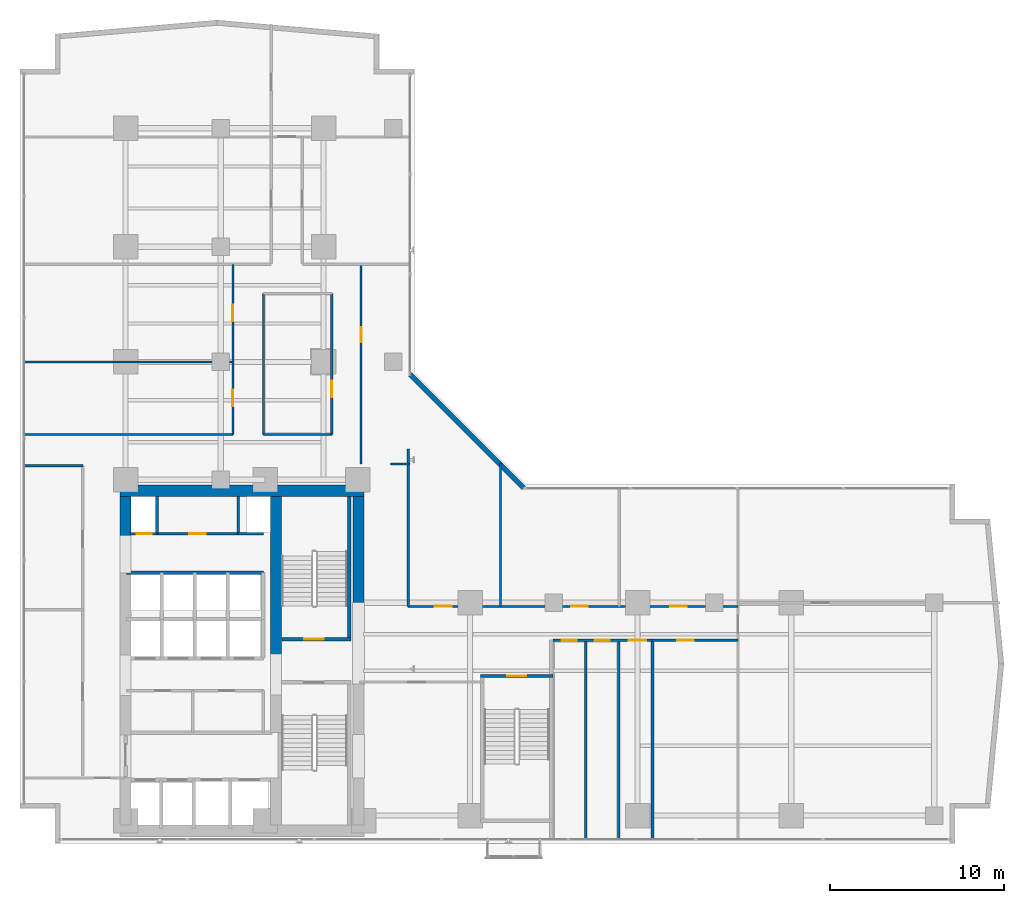
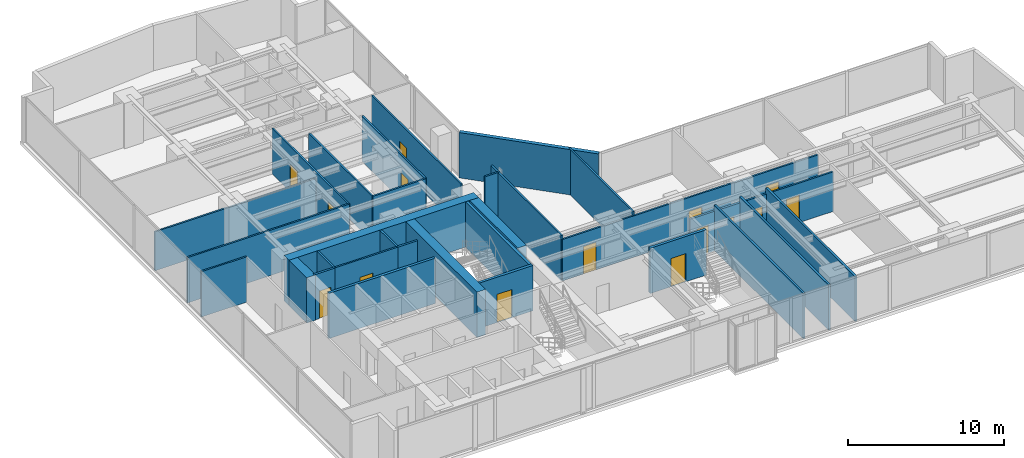
# One storey, part 20 of 26: 31 walls, 15 doors, 15 openings.
"""IFC4 building model written with IfcOpenShell, lengths in metres."""

from ifc_helpers import new_model, si_unit, direction, frame, frame_2d, origin, place, context, subcontext, project, spatial, rectangle, extrude, material, layer, layer_set, type_object, element, fill, save


model = new_model("IFC4")

# Units and contexts
model_context = context("Model", 3, precision=1e-05, world=origin(), true_north=direction((0.0, 1.0)))
body_context = subcontext(model_context, "Body", "Model", "MODEL_VIEW")
ifc_project = project(units=[si_unit("LENGTHUNIT", "METRE"), si_unit("AREAUNIT", "SQUARE_METRE"), si_unit("VOLUMEUNIT", "CUBIC_METRE"), si_unit("PLANEANGLEUNIT", "RADIAN"), si_unit("MASSUNIT", "GRAM", prefix="KILO")], contexts=[model_context])

# Site, building, storey
site_placement = place(None, origin())
site = spatial("IfcSite", under=ifc_project, at=site_placement, CompositionType="ELEMENT")
building_placement = place(site_placement, origin())
building = spatial("IfcBuilding", under=site, at=building_placement, Name="Kolvaren Waterfront Exchange", CompositionType="ELEMENT")
storey_placement = place(building_placement, frame((0.0, 0.0, 125.89990234375)))
storey = spatial("IfcBuildingStorey", under=building, at=storey_placement, Name="L32", CompositionType="ELEMENT", Elevation=125.89990234375)

# Wall
ifc_material_1 = material(Name="Precast concrete C40/50", Category="concrete")
ifc_layer_1 = layer(ifc_material_1, 0.280029296875, Name="Precast concrete C40/50")
ifc_layer_set_1 = layer_set([ifc_layer_1], Name="Precast concrete C40/50")
wall_type_1 = type_object("IfcWallType", Name="ARC-EXT-TERR-280", PredefinedType="SOLIDWALL", material=ifc_layer_set_1)
wall_1_placement = place(storey_placement, frame((30.284912109375, 23.97509765625, 0.0), z_axis=(0.0, 0.0, 1.0), x_axis=(-0.707106781187, 0.707106781187, 0.0)))
element("IfcWall", 1, at=wall_1_placement, inside=storey, type_object=wall_type_1, Name="L32 notched corner spandrel pier ELBOW", PredefinedType="SOLIDWALL", context=body_context, shape_type="SweptSolid", body=[
    extrude(rectangle(XDim=9.20654296875, YDim=0.280029296875, at=frame_2d((4.603271484375, 0.0))), origin(), (0.0, 0.0, 1.0), 3.5400390625),
])

# Wall, opening, door
ifc_layer_2 = layer(ifc_material_1, 0.199951171875, Name="Precast concrete C40/50")
ifc_layer_set_2 = layer_set([ifc_layer_2], Name="Precast concrete C40/50")
wall_type_2 = type_object("IfcWallType", Name="ARC-FIRE-200", PredefinedType="PARTITIONING", material=ifc_layer_set_2)
wall_2_placement = place(storey_placement, frame((16.409912109375, 15.300048828125, 0.0), z_axis=(0.0, 0.0, 1.0), x_axis=(1.0, 0.0, 0.0)))
wall_2 = element("IfcWall", 2, at=wall_2_placement, inside=storey, type_object=wall_type_2, Name="L32 interior wall PW-L32-ST2-THROAT-N", PredefinedType="PARTITIONING", context=body_context, shape_type="SweptSolid", body=[
    extrude(rectangle(XDim=3.9501953125, YDim=0.199951171875, at=frame_2d((1.97509765625, 0.0))), origin(), (0.0, 0.0, 1.0), 3.5400390625),
])
opening_1_placement = place(wall_2_placement, frame((1.293701171875, 0.0, 0.0)))
opening_1 = element("IfcOpeningElement", 3, at=opening_1_placement, cuts=wall_2, Name="Opening FD2", PredefinedType="OPENING", context=body_context, shape_type="SweptSolid", body=[
    extrude(rectangle(XDim=1.10009765625, YDim=2.199951171875, at=frame_2d((0.550048828125, 1.10009765625))), frame((0.0, 0.10986328125, 0.0), z_axis=(0.0, -1.0, 0.0), x_axis=(1.0, 0.0, 0.0)), (0.0, 0.0, 1.0), 0.219970703125),
])
ifc_material_2 = material(Name="Pressed steel smoke-seal fire door", Category="steel")
door_type_1 = type_object("IfcDoorType", Name="ARC-FD-1100", OperationType="NOTDEFINED", PredefinedType="DOOR", material=ifc_material_2)
door_1_placement = place(opening_1_placement, origin())
door_1 = element("IfcDoor", 4, at=door_1_placement, inside=storey, type_object=door_type_1, Name="L32 door DR-L32-ST2-IN (FD2)", OperationType="SINGLE_SWING_LEFT", OverallHeight=2.199951171875, OverallWidth=1.10009765625, PredefinedType="DOOR", context=body_context, shape_type="SweptSolid", body=[
    extrude(rectangle(XDim=1.10009765625, YDim=2.199951171875, at=frame_2d((0.550048828125, 1.10009765625))), frame((0.0, 0.02490234375, 0.0), z_axis=(0.0, -1.0, 0.0), x_axis=(1.0, 0.0, 0.0)), (0.0, 0.0, 1.0), 0.050048828125),
])
fill(opening_1, door_1)

ifc_material_3 = material(Name="Acoustic gypsum steel stud", Category="steel")
ifc_layer_3 = layer(ifc_material_3, 0.125, Name="Acoustic gypsum steel stud")
ifc_layer_set_3 = layer_set([ifc_layer_3], Name="Acoustic gypsum steel stud")
wall_type_3 = type_object("IfcWallType", Name="ARC-PART-125", PredefinedType="PARTITIONING", material=ifc_layer_set_3)
wall_3_placement = place(storey_placement, frame((9.25, 21.35009765625, 0.0), z_axis=(0.0, 0.0, 1.0), x_axis=(1.0, 0.0, 0.0)))
wall_3 = element("IfcWall", 5, at=wall_3_placement, inside=storey, type_object=wall_type_3, Name="L32 interior wall PW-L32-SVC-EX-S", PredefinedType="PARTITIONING", context=body_context, shape_type="SweptSolid", body=[
    extrude(rectangle(XDim=4.64990234375, YDim=0.125, at=frame_2d((2.324951171875, 0.0))), origin(), (0.0, 0.0, 1.0), 3.5400390625),
])
opening_2_placement = place(wall_3_placement, frame((1.85009765625, 0.0, 0.0)))
opening_2 = element("IfcOpeningElement", 6, at=opening_2_placement, cuts=wall_3, Name="Opening D02", PredefinedType="OPENING", context=body_context, shape_type="SweptSolid", body=[
    extrude(rectangle(XDim=0.949951171875, YDim=2.14990234375, at=frame_2d((0.47509765625, 1.074951171875))), frame((0.0, 0.072509765625, 0.0), z_axis=(0.0, -1.0, 0.0), x_axis=(1.0, 0.0, 0.0)), (0.0, 0.0, 1.0), 0.14501953125),
])
ifc_material_4 = material(Name="Oak veneer acoustic timber", Category="wood")
door_type_2 = type_object("IfcDoorType", Name="ARC-DR-950", OperationType="NOTDEFINED", PredefinedType="DOOR", material=ifc_material_4)
door_2_placement = place(opening_2_placement, origin())
door_2 = element("IfcDoor", 7, at=door_2_placement, inside=storey, type_object=door_type_2, Name="L32 door DR-L32-SVC-DR-1 (D02)", OperationType="SINGLE_SWING_LEFT", OverallHeight=2.14990234375, OverallWidth=0.949951171875, PredefinedType="DOOR", context=body_context, shape_type="SweptSolid", body=[
    extrude(rectangle(XDim=0.949951171875, YDim=2.14990234375, at=frame_2d((0.47509765625, 1.074951171875))), frame((0.0, 0.02490234375, 0.0), z_axis=(0.0, -1.0, 0.0), x_axis=(1.0, 0.0, 0.0)), (0.0, 0.0, 1.0), 0.050048828125),
])
fill(opening_2, door_2)

# Walls
wall_4_placement = place(storey_placement, frame((15.35009765625, 27.050048828125, 0.0), z_axis=(0.0, 0.0, 1.0), x_axis=(1.0, 0.0, 0.0)))
element("IfcWall", 8, at=wall_4_placement, inside=storey, type_object=wall_type_3, Name="L32 interior wall PW-L32-ISL-S", PredefinedType="PARTITIONING", context=body_context, shape_type="SweptSolid", body=[
    extrude(rectangle(XDim=3.919921875, YDim=0.125, at=frame_2d((1.9599609375, 0.0))), origin(), (0.0, 0.0, 1.0), 3.5400390625),
])
wall_5_placement = place(storey_placement, frame((15.35009765625, 27.050048828125, 0.0), z_axis=(0.0, 0.0, 1.0), x_axis=(0.0, 1.0, 0.0)))
element("IfcWall", 9, at=wall_5_placement, inside=storey, type_object=wall_type_3, Name="L32 interior wall PW-L32-ISL-W", PredefinedType="PARTITIONING", context=body_context, shape_type="SweptSolid", body=[
    extrude(rectangle(XDim=8.070068359375, YDim=0.125, at=frame_2d((4.03515625, 0.0))), origin(), (0.0, 0.0, 1.0), 3.5400390625),
])

# Wall, opening, door
wall_6_placement = place(storey_placement, frame((19.27001953125, 27.050048828125, 0.0), z_axis=(0.0, 0.0, 1.0), x_axis=(0.0, 1.0, 0.0)))
wall_6 = element("IfcWall", 10, at=wall_6_placement, inside=storey, type_object=wall_type_3, Name="L32 interior wall PW-L32-ISL-E", PredefinedType="PARTITIONING", context=body_context, shape_type="SweptSolid", body=[
    extrude(rectangle(XDim=8.070068359375, YDim=0.125, at=frame_2d((4.03515625, 0.0))), origin(), (0.0, 0.0, 1.0), 3.5400390625),
])
opening_3_placement = place(wall_6_placement, frame((2.126708984375, 0.0, 0.0)))
opening_3 = element("IfcOpeningElement", 11, at=opening_3_placement, cuts=wall_6, Name="Opening D02", PredefinedType="OPENING", context=body_context, shape_type="SweptSolid", body=[
    extrude(rectangle(XDim=0.949951171875, YDim=2.14990234375, at=frame_2d((0.47509765625, 1.074951171875))), frame((0.0, 0.072509765625, 0.0), z_axis=(0.0, -1.0, 0.0), x_axis=(1.0, 0.0, 0.0)), (0.0, 0.0, 1.0), 0.14501953125),
])
door_3_placement = place(opening_3_placement, origin())
door_3 = element("IfcDoor", 12, at=door_3_placement, inside=storey, type_object=door_type_2, Name="L32 door DR-L32-ISL-D (D02)", OperationType="SINGLE_SWING_RIGHT", OverallHeight=2.14990234375, OverallWidth=0.949951171875, PredefinedType="DOOR", context=body_context, shape_type="SweptSolid", body=[
    extrude(rectangle(XDim=0.949951171875, YDim=2.14990234375, at=frame_2d((0.47509765625, 1.074951171875))), frame((0.0, 0.02490234375, 0.0), z_axis=(0.0, -1.0, 0.0), x_axis=(1.0, 0.0, 0.0)), (0.0, 0.0, 1.0), 0.050048828125),
])
fill(opening_3, door_3)

# Wall, openings, doors
wall_7_placement = place(storey_placement, frame((13.60009765625, 27.050048828125, 0.0), z_axis=(0.0, 0.0, 1.0), x_axis=(0.0, 1.0, 0.0)))
wall_7 = element("IfcWall", 13, at=wall_7_placement, inside=storey, type_object=wall_type_3, Name="L32 interior wall PW-L32-MWL-E", PredefinedType="PARTITIONING", context=body_context, shape_type="SweptSolid", body=[
    extrude(rectangle(XDim=9.75, YDim=0.125, at=frame_2d((4.875, 0.0))), origin(), (0.0, 0.0, 1.0), 3.5400390625),
])
opening_4_placement = place(wall_7_placement, frame((1.60009765625, 0.0, 0.0)))
opening_4 = element("IfcOpeningElement", 14, at=opening_4_placement, cuts=wall_7, Name="Opening D02", PredefinedType="OPENING", context=body_context, shape_type="SweptSolid", body=[
    extrude(rectangle(XDim=0.949951171875, YDim=2.14990234375, at=frame_2d((0.47509765625, 1.074951171875))), frame((0.0, 0.072509765625, 0.0), z_axis=(0.0, -1.0, 0.0), x_axis=(1.0, 0.0, 0.0)), (0.0, 0.0, 1.0), 0.14501953125),
])
opening_5_placement = place(wall_7_placement, frame((6.47509765625, 0.0, 0.0)))
opening_5 = element("IfcOpeningElement", 15, at=opening_5_placement, cuts=wall_7, Name="Opening D02", PredefinedType="OPENING", context=body_context, shape_type="SweptSolid", body=[
    extrude(rectangle(XDim=0.949951171875, YDim=2.14990234375, at=frame_2d((0.47509765625, 1.074951171875))), frame((0.0, 0.072509765625, 0.0), z_axis=(0.0, -1.0, 0.0), x_axis=(1.0, 0.0, 0.0)), (0.0, 0.0, 1.0), 0.14501953125),
])
door_4_placement = place(opening_4_placement, origin())
door_4 = element("IfcDoor", 16, at=door_4_placement, inside=storey, type_object=door_type_2, Name="L32 door DR-L32-MWL1A-D (D02)", OperationType="SINGLE_SWING_RIGHT", OverallHeight=2.14990234375, OverallWidth=0.949951171875, PredefinedType="DOOR", context=body_context, shape_type="SweptSolid", body=[
    extrude(rectangle(XDim=0.949951171875, YDim=2.14990234375, at=frame_2d((0.47509765625, 1.074951171875))), frame((0.0, 0.02490234375, 0.0), z_axis=(0.0, -1.0, 0.0), x_axis=(1.0, 0.0, 0.0)), (0.0, 0.0, 1.0), 0.050048828125),
])
fill(opening_4, door_4)
door_5_placement = place(opening_5_placement, origin())
door_5 = element("IfcDoor", 17, at=door_5_placement, inside=storey, type_object=door_type_2, Name="L32 door DR-L32-MWL1B-D (D02)", OperationType="SINGLE_SWING_LEFT", OverallHeight=2.14990234375, OverallWidth=0.949951171875, PredefinedType="DOOR", context=body_context, shape_type="SweptSolid", body=[
    extrude(rectangle(XDim=0.949951171875, YDim=2.14990234375, at=frame_2d((0.47509765625, 1.074951171875))), frame((0.0, 0.02490234375, 0.0), z_axis=(0.0, -1.0, 0.0), x_axis=(1.0, 0.0, 0.0)), (0.0, 0.0, 1.0), 0.050048828125),
])
fill(opening_5, door_5)

# Walls
wall_8_placement = place(storey_placement, frame((1.639892578125, 27.050048828125, 0.0), z_axis=(0.0, 0.0, 1.0), x_axis=(1.0, 0.0, 0.0)))
element("IfcWall", 18, at=wall_8_placement, inside=storey, type_object=wall_type_3, Name="L32 interior wall PW-L32-MWL-S", PredefinedType="PARTITIONING", context=body_context, shape_type="SweptSolid", body=[
    extrude(rectangle(XDim=11.960205078125, YDim=0.125, at=frame_2d((5.97998046875, 0.0))), origin(), (0.0, 0.0, 1.0), 3.5400390625),
])
wall_9_placement = place(storey_placement, frame((1.639892578125, 31.199951171875, 0.0), z_axis=(0.0, 0.0, 1.0), x_axis=(1.0, 0.0, 0.0)))
element("IfcWall", 19, at=wall_9_placement, inside=storey, type_object=wall_type_3, Name="L32 interior wall PW-L32-MWL-M", PredefinedType="PARTITIONING", context=body_context, shape_type="SweptSolid", body=[
    extrude(rectangle(XDim=11.960205078125, YDim=0.125, at=frame_2d((5.97998046875, 0.0))), origin(), (0.0, 0.0, 1.0), 3.0400390625),
])
wall_10_placement = place(storey_placement, frame((1.639892578125, 25.25, 0.0), z_axis=(0.0, 0.0, 1.0), x_axis=(1.0, 0.0, 0.0)))
element("IfcWall", 20, at=wall_10_placement, inside=storey, type_object=wall_type_3, Name="L32 interior wall PW-L32-WFLANK-N", PredefinedType="PARTITIONING", context=body_context, shape_type="SweptSolid", body=[
    extrude(rectangle(XDim=3.360107421875, YDim=0.125, at=frame_2d((1.68017578125, 0.0))), origin(), (0.0, 0.0, 1.0), 3.5400390625),
])

# Wall, opening, door
wall_11_placement = place(storey_placement, frame((20.949951171875, 25.35009765625, 0.0), z_axis=(0.0, 0.0, 1.0), x_axis=(0.0, 1.0, 0.0)))
wall_11 = element("IfcWall", 21, at=wall_11_placement, inside=storey, type_object=wall_type_3, Name="L32 interior wall PW-L32-RFLANK-W", PredefinedType="PARTITIONING", context=body_context, shape_type="SweptSolid", body=[
    extrude(rectangle(XDim=11.449951171875, YDim=0.125, at=frame_2d((5.72509765625, 0.0))), origin(), (0.0, 0.0, 1.0), 3.5400390625),
])
opening_6_placement = place(wall_11_placement, frame((6.976806640625, 0.0, 0.0)))
opening_6 = element("IfcOpeningElement", 22, at=opening_6_placement, cuts=wall_11, Name="Opening D01", PredefinedType="OPENING", context=body_context, shape_type="SweptSolid", body=[
    extrude(rectangle(XDim=0.85009765625, YDim=2.14990234375, at=frame_2d((0.425048828125, 1.074951171875))), frame((0.0, 0.072509765625, 0.0), z_axis=(0.0, -1.0, 0.0), x_axis=(1.0, 0.0, 0.0)), (0.0, 0.0, 1.0), 0.14501953125),
])
ifc_material_5 = material(Name="Oak veneer timber leaf", Category="wood")
door_type_3 = type_object("IfcDoorType", Name="ARC-DR-900", OperationType="NOTDEFINED", PredefinedType="DOOR", material=ifc_material_5)
door_6_placement = place(opening_6_placement, origin())
door_6 = element("IfcDoor", 23, at=door_6_placement, inside=storey, type_object=door_type_3, Name="L32 door DR-L32-RFLANK-D (D01)", OperationType="SINGLE_SWING_RIGHT", OverallHeight=2.14990234375, OverallWidth=0.85009765625, PredefinedType="DOOR", context=body_context, shape_type="SweptSolid", body=[
    extrude(rectangle(XDim=0.85009765625, YDim=2.14990234375, at=frame_2d((0.425048828125, 1.074951171875))), frame((0.0, 0.02490234375, 0.0), z_axis=(0.0, -1.0, 0.0), x_axis=(1.0, 0.0, 0.0)), (0.0, 0.0, 1.0), 0.050048828125),
])
fill(opening_6, door_6)

# Wall
wall_12_placement = place(storey_placement, frame((22.64990234375, 25.35009765625, 0.0), z_axis=(0.0, 0.0, 1.0), x_axis=(1.0, 0.0, 0.0)))
element("IfcWall", 24, at=wall_12_placement, inside=storey, type_object=wall_type_3, Name="L32 interior wall PW-L32-RFLANK-S", PredefinedType="PARTITIONING", context=body_context, shape_type="SweptSolid", body=[
    extrude(rectangle(XDim=1.110107421875, YDim=0.125, at=frame_2d((0.55517578125, 0.0))), origin(), (0.0, 0.0, 1.0), 3.5400390625),
])

# Wall, opening, door
wall_13_placement = place(storey_placement, frame((37.64990234375, 15.25, 0.0), z_axis=(0.0, 0.0, 1.0), x_axis=(1.0, 0.0, 0.0)))
wall_13 = element("IfcWall", 25, at=wall_13_placement, inside=storey, type_object=wall_type_3, Name="L32 interior wall PW-L32-ES-CORR", PredefinedType="PARTITIONING", context=body_context, shape_type="SweptSolid", body=[
    extrude(rectangle(XDim=4.900146484375, YDim=0.125, at=frame_2d((2.4501953125, 0.0))), origin(), (0.0, 0.0, 1.0), 3.090087890625),
])
opening_7_placement = place(wall_13_placement, frame((1.4267578125, 0.0, 0.0)))
opening_7 = element("IfcOpeningElement", 26, at=opening_7_placement, cuts=wall_13, Name="Opening D02", PredefinedType="OPENING", context=body_context, shape_type="SweptSolid", body=[
    extrude(rectangle(XDim=0.949951171875, YDim=2.14990234375, at=frame_2d((0.47509765625, 1.074951171875))), frame((0.0, 0.072509765625, 0.0), z_axis=(0.0, -1.0, 0.0), x_axis=(1.0, 0.0, 0.0)), (0.0, 0.0, 1.0), 0.14501953125),
])
door_7_placement = place(opening_7_placement, origin())
door_7 = element("IfcDoor", 27, at=door_7_placement, inside=storey, type_object=door_type_2, Name="L32 door DR-L32-ES-D-1 (D02)", OperationType="SINGLE_SWING_LEFT", OverallHeight=2.14990234375, OverallWidth=0.949951171875, PredefinedType="DOOR", context=body_context, shape_type="SweptSolid", body=[
    extrude(rectangle(XDim=0.949951171875, YDim=2.14990234375, at=frame_2d((0.47509765625, 1.074951171875))), frame((0.0, 0.02490234375, 0.0), z_axis=(0.0, -1.0, 0.0), x_axis=(1.0, 0.0, 0.0)), (0.0, 0.0, 1.0), 0.050048828125),
])
fill(opening_7, door_7)

# Wall
wall_14_placement = place(storey_placement, frame((23.64990234375, 17.18994140625, 0.0), z_axis=(0.0, 0.0, 1.0), x_axis=(0.0, 1.0, 0.0)))
element("IfcWall", 28, at=wall_14_placement, inside=storey, type_object=wall_type_3, Name="L32 interior wall PW-L32-EN-W0", PredefinedType="PARTITIONING", context=body_context, shape_type="SweptSolid", body=[
    extrude(rectangle(XDim=9.010009765625, YDim=0.125, at=frame_2d((4.5048828125, 0.0))), origin(), (0.0, 0.0, 1.0), 3.5400390625),
])

# Wall, openings, doors
wall_15_placement = place(storey_placement, frame((23.64990234375, 17.18994140625, 0.0), z_axis=(0.0, 0.0, 1.0), x_axis=(1.0, 0.0, 0.0)))
wall_15 = element("IfcWall", 29, at=wall_15_placement, inside=storey, type_object=wall_type_3, Name="L32 interior wall PW-L32-EN-CORR", PredefinedType="PARTITIONING", context=body_context, shape_type="SweptSolid", body=[
    extrude(rectangle(XDim=18.900146484375, YDim=0.125, at=frame_2d((9.4501953125, 0.0))), origin(), (0.0, 0.0, 1.0), 3.239990234375),
])
opening_8_placement = place(wall_15_placement, frame((1.53271484375, 0.0, 0.0)))
opening_8 = element("IfcOpeningElement", 30, at=opening_8_placement, cuts=wall_15, Name="Opening D02", PredefinedType="OPENING", context=body_context, shape_type="SweptSolid", body=[
    extrude(rectangle(XDim=0.949951171875, YDim=2.14990234375, at=frame_2d((0.47509765625, 1.074951171875))), frame((0.0, 0.072509765625, 0.0), z_axis=(0.0, -1.0, 0.0), x_axis=(1.0, 0.0, 0.0)), (0.0, 0.0, 1.0), 0.14501953125),
])
opening_9_placement = place(wall_15_placement, frame((9.344482421875, 0.0, 0.0)))
opening_9 = element("IfcOpeningElement", 31, at=opening_9_placement, cuts=wall_15, Name="Opening D02", PredefinedType="OPENING", context=body_context, shape_type="SweptSolid", body=[
    extrude(rectangle(XDim=0.949951171875, YDim=2.14990234375, at=frame_2d((0.47509765625, 1.074951171875))), frame((0.0, 0.072509765625, 0.0), z_axis=(0.0, -1.0, 0.0), x_axis=(1.0, 0.0, 0.0)), (0.0, 0.0, 1.0), 0.14501953125),
])
opening_10_placement = place(wall_15_placement, frame((15.02490234375, 0.0, 0.0)))
opening_10 = element("IfcOpeningElement", 32, at=opening_10_placement, cuts=wall_15, Name="Opening D02", PredefinedType="OPENING", context=body_context, shape_type="SweptSolid", body=[
    extrude(rectangle(XDim=0.949951171875, YDim=2.14990234375, at=frame_2d((0.47509765625, 1.074951171875))), frame((0.0, 0.072509765625, 0.0), z_axis=(0.0, -1.0, 0.0), x_axis=(1.0, 0.0, 0.0)), (0.0, 0.0, 1.0), 0.14501953125),
])
door_8_placement = place(opening_8_placement, origin())
door_8 = element("IfcDoor", 33, at=door_8_placement, inside=storey, type_object=door_type_2, Name="L32 door DR-L32-EN-D-1 (D02)", OperationType="SINGLE_SWING_RIGHT", OverallHeight=2.14990234375, OverallWidth=0.949951171875, PredefinedType="DOOR", context=body_context, shape_type="SweptSolid", body=[
    extrude(rectangle(XDim=0.949951171875, YDim=2.14990234375, at=frame_2d((0.47509765625, 1.074951171875))), frame((0.0, 0.02490234375, 0.0), z_axis=(0.0, -1.0, 0.0), x_axis=(1.0, 0.0, 0.0)), (0.0, 0.0, 1.0), 0.050048828125),
])
fill(opening_8, door_8)
door_9_placement = place(opening_9_placement, origin())
door_9 = element("IfcDoor", 34, at=door_9_placement, inside=storey, type_object=door_type_2, Name="L32 door DR-L32-EN-D-2 (D02)", OperationType="SINGLE_SWING_LEFT", OverallHeight=2.14990234375, OverallWidth=0.949951171875, PredefinedType="DOOR", context=body_context, shape_type="SweptSolid", body=[
    extrude(rectangle(XDim=0.949951171875, YDim=2.14990234375, at=frame_2d((0.47509765625, 1.074951171875))), frame((0.0, 0.02490234375, 0.0), z_axis=(0.0, -1.0, 0.0), x_axis=(1.0, 0.0, 0.0)), (0.0, 0.0, 1.0), 0.050048828125),
])
fill(opening_9, door_9)
door_10_placement = place(opening_10_placement, origin())
door_10 = element("IfcDoor", 35, at=door_10_placement, inside=storey, type_object=door_type_2, Name="L32 door DR-L32-EN-D-3 (D02)", OperationType="SINGLE_SWING_RIGHT", OverallHeight=2.14990234375, OverallWidth=0.949951171875, PredefinedType="DOOR", context=body_context, shape_type="SweptSolid", body=[
    extrude(rectangle(XDim=0.949951171875, YDim=2.14990234375, at=frame_2d((0.47509765625, 1.074951171875))), frame((0.0, 0.02490234375, 0.0), z_axis=(0.0, -1.0, 0.0), x_axis=(1.0, 0.0, 0.0)), (0.0, 0.0, 1.0), 0.050048828125),
])
fill(opening_10, door_10)

# Walls
wall_16_placement = place(storey_placement, frame((28.93994140625, 17.18994140625, 0.0), z_axis=(0.0, 0.0, 1.0), x_axis=(0.0, 1.0, 0.0)))
element("IfcWall", 36, at=wall_16_placement, inside=storey, type_object=wall_type_3, Name="L32 interior wall PW-L32-EN-DIV-1", PredefinedType="PARTITIONING", context=body_context, shape_type="SweptSolid", body=[
    extrude(rectangle(XDim=8.22998046875, YDim=0.125, at=frame_2d((4.114990234375, 0.0))), origin(), (0.0, 0.0, 1.0), 3.5400390625),
])
ifc_material_6 = material(Name="Gypsum fireboard steel stud", Category="steel")
ifc_layer_4 = layer(ifc_material_6, 0.14990234375, Name="Gypsum fireboard steel stud")
ifc_layer_set_4 = layer_set([ifc_layer_4], Name="Gypsum fireboard steel stud")
wall_type_4 = type_object("IfcWallType", Name="ARC-PART-150", PredefinedType="PARTITIONING", material=ifc_layer_set_4)
for number, where, z_axis, x_axis, name in (
    (37, (9.25, 21.35009765625, 0.0), (0.0, 0.0, 1.0), (0.0, 1.0, 0.0), "L32 interior wall PW-L32-SVC-R1"),
    (38, (13.89990234375, 21.35009765625, 0.0), (0.0, 0.0, 1.0), (0.0, 1.0, 0.0), "L32 interior wall PW-L32-SVC-R2"),
):
    element("IfcWall", number, at=place(storey_placement, frame(where, z_axis=z_axis, x_axis=x_axis)), inside=storey, type_object=wall_type_4, Name=name, PredefinedType="PARTITIONING", context=body_context, shape_type="SweptSolid", body=[
        extrude(rectangle(XDim=2.1298828125, YDim=0.14990234375, at=frame_2d((1.06494140625, 0.0))), origin(), (0.0, 0.0, 1.0), 3.5400390625),
    ])

# Wall, opening, door
wall_17_placement = place(storey_placement, frame((7.699951171875, 21.35009765625, 0.0), z_axis=(0.0, 0.0, 1.0), x_axis=(1.0, 0.0, 0.0)))
wall_17 = element("IfcWall", 39, at=wall_17_placement, inside=storey, type_object=wall_type_4, Name="L32 interior wall PW-L32-SVC-RE-S", PredefinedType="PARTITIONING", context=body_context, shape_type="SweptSolid", body=[
    extrude(rectangle(XDim=1.550048828125, YDim=0.14990234375, at=frame_2d((0.77490234375, 0.0))), origin(), (0.0, 0.0, 1.0), 3.5400390625),
])
opening_11_placement = place(wall_17_placement, frame((0.389892578125, 0.0, 0.0)))
opening_11 = element("IfcOpeningElement", 40, at=opening_11_placement, cuts=wall_17, Name="Opening FD1", PredefinedType="OPENING", context=body_context, shape_type="SweptSolid", body=[
    extrude(rectangle(XDim=0.85009765625, YDim=2.14990234375, at=frame_2d((0.425048828125, 1.074951171875))), frame((0.0, 0.0849609375, 0.0), z_axis=(0.0, -1.0, 0.0), x_axis=(1.0, 0.0, 0.0)), (0.0, 0.0, 1.0), 0.169921875),
])
ifc_material_7 = material(Name="Pressed steel fire leaf", Category="steel")
door_type_4 = type_object("IfcDoorType", Name="ARC-FD-900", OperationType="NOTDEFINED", PredefinedType="DOOR", material=ifc_material_7)
door_11_placement = place(opening_11_placement, origin())
door_11 = element("IfcDoor", 41, at=door_11_placement, inside=storey, type_object=door_type_4, Name="L32 door DR-L32-RISER-E-DR (FD1)", OperationType="SINGLE_SWING_RIGHT", OverallHeight=2.14990234375, OverallWidth=0.85009765625, PredefinedType="DOOR", context=body_context, shape_type="SweptSolid", body=[
    extrude(rectangle(XDim=0.85009765625, YDim=2.14990234375, at=frame_2d((0.425048828125, 1.074951171875))), frame((0.0, 0.02490234375, 0.0), z_axis=(0.0, -1.0, 0.0), x_axis=(1.0, 0.0, 0.0)), (0.0, 0.0, 1.0), 0.050048828125),
])
fill(opening_11, door_11)

# Wall
wall_18_placement = place(storey_placement, frame((13.89990234375, 21.35009765625, 0.0), z_axis=(0.0, 0.0, 1.0), x_axis=(1.0, 0.0, 0.0)))
element("IfcWall", 42, at=wall_18_placement, inside=storey, type_object=wall_type_4, Name="L32 interior wall PW-L32-SVC-RP-S", PredefinedType="PARTITIONING", context=body_context, shape_type="SweptSolid", body=[
    extrude(rectangle(XDim=1.4501953125, YDim=0.14990234375, at=frame_2d((0.72509765625, 0.0))), origin(), (0.0, 0.0, 1.0), 3.5400390625),
])

# Wall, openings, doors
ifc_material_8 = material(Name="Moisture-resistant gypsum stud")
ifc_layer_5 = layer(ifc_material_8, 0.14990234375, Name="Moisture-resistant gypsum stud")
ifc_layer_set_5 = layer_set([ifc_layer_5], Name="Moisture-resistant gypsum stud")
wall_type_5 = type_object("IfcWallType", Name="ARC-PLUMB-150", PredefinedType="PLUMBINGWALL", material=ifc_layer_set_5)
wall_19_placement = place(storey_placement, frame((31.949951171875, 15.25, 0.0), z_axis=(0.0, 0.0, 1.0), x_axis=(1.0, 0.0, 0.0)))
wall_19 = element("IfcWall", 43, at=wall_19_placement, inside=storey, type_object=wall_type_5, Name="L32 interior wall PW-L32-WC-N", PredefinedType="PLUMBINGWALL", context=body_context, shape_type="SweptSolid", body=[
    extrude(rectangle(XDim=5.699951171875, YDim=0.14990234375, at=frame_2d((2.85009765625, 0.0))), origin(), (0.0, 0.0, 1.0), 3.090087890625),
])
opening_12_placement = place(wall_19_placement, frame((0.514892578125, 0.0, 0.0)))
opening_12 = element("IfcOpeningElement", 44, at=opening_12_placement, cuts=wall_19, Name="Opening D01", PredefinedType="OPENING", context=body_context, shape_type="SweptSolid", body=[
    extrude(rectangle(XDim=0.85009765625, YDim=2.14990234375, at=frame_2d((0.425048828125, 1.074951171875))), frame((0.0, 0.0849609375, 0.0), z_axis=(0.0, -1.0, 0.0), x_axis=(1.0, 0.0, 0.0)), (0.0, 0.0, 1.0), 0.169921875),
])
opening_13_placement = place(wall_19_placement, frame((2.39501953125, 0.0, 0.0)))
opening_13 = element("IfcOpeningElement", 45, at=opening_13_placement, cuts=wall_19, Name="Opening D01", PredefinedType="OPENING", context=body_context, shape_type="SweptSolid", body=[
    extrude(rectangle(XDim=0.85009765625, YDim=2.14990234375, at=frame_2d((0.425048828125, 1.074951171875))), frame((0.0, 0.0849609375, 0.0), z_axis=(0.0, -1.0, 0.0), x_axis=(1.0, 0.0, 0.0)), (0.0, 0.0, 1.0), 0.169921875),
])
opening_14_placement = place(wall_19_placement, frame((4.35009765625, 0.0, 0.0)))
opening_14 = element("IfcOpeningElement", 46, at=opening_14_placement, cuts=wall_19, Name="Opening D03", PredefinedType="OPENING", context=body_context, shape_type="SweptSolid", body=[
    extrude(rectangle(XDim=1.0, YDim=2.199951171875, at=frame_2d((0.5, 1.10009765625))), frame((0.0, 0.0849609375, 0.0), z_axis=(0.0, -1.0, 0.0), x_axis=(1.0, 0.0, 0.0)), (0.0, 0.0, 1.0), 0.169921875),
])
ifc_material_9 = material(Name="Oak veneer accessible timber", Category="wood")
door_type_5 = type_object("IfcDoorType", Name="ARC-DR-1000", OperationType="NOTDEFINED", PredefinedType="DOOR", material=ifc_material_9)
door_12_placement = place(opening_14_placement, origin())
door_12 = element("IfcDoor", 47, at=door_12_placement, inside=storey, type_object=door_type_5, Name="L32 door DR-L32-WCA-D (D03)", OperationType="SINGLE_SWING_LEFT", OverallHeight=2.199951171875, OverallWidth=1.0, PredefinedType="DOOR", context=body_context, shape_type="SweptSolid", body=[
    extrude(rectangle(XDim=1.0, YDim=2.199951171875, at=frame_2d((0.5, 1.10009765625))), frame((0.0, 0.02490234375, 0.0), z_axis=(0.0, -1.0, 0.0), x_axis=(1.0, 0.0, 0.0)), (0.0, 0.0, 1.0), 0.050048828125),
])
fill(opening_14, door_12)
door_13_placement = place(opening_12_placement, origin())
door_13 = element("IfcDoor", 48, at=door_13_placement, inside=storey, type_object=door_type_3, Name="L32 door DR-L32-WCM-D (D01)", OperationType="SINGLE_SWING_LEFT", OverallHeight=2.14990234375, OverallWidth=0.85009765625, PredefinedType="DOOR", context=body_context, shape_type="SweptSolid", body=[
    extrude(rectangle(XDim=0.85009765625, YDim=2.14990234375, at=frame_2d((0.425048828125, 1.074951171875))), frame((0.0, 0.02490234375, 0.0), z_axis=(0.0, -1.0, 0.0), x_axis=(1.0, 0.0, 0.0)), (0.0, 0.0, 1.0), 0.050048828125),
])
fill(opening_12, door_13)
door_14_placement = place(opening_13_placement, origin())
door_14 = element("IfcDoor", 49, at=door_14_placement, inside=storey, type_object=door_type_3, Name="L32 door DR-L32-WCF-D (D01)", OperationType="SINGLE_SWING_RIGHT", OverallHeight=2.14990234375, OverallWidth=0.85009765625, PredefinedType="DOOR", context=body_context, shape_type="SweptSolid", body=[
    extrude(rectangle(XDim=0.85009765625, YDim=2.14990234375, at=frame_2d((0.425048828125, 1.074951171875))), frame((0.0, 0.02490234375, 0.0), z_axis=(0.0, -1.0, 0.0), x_axis=(1.0, 0.0, 0.0)), (0.0, 0.0, 1.0), 0.050048828125),
])
fill(opening_13, door_14)

# Walls
for number, where, z_axis, x_axis, name in (
    (50, (33.830078125, 3.840087890625, 0.0), (0.0, 0.0, 1.0), (0.0, 1.0, 0.0), "L32 interior wall PW-L32-WC-1"),
    (51, (35.7099609375, 3.840087890625, 0.0), (0.0, 0.0, 1.0), (0.0, 1.0, 0.0), "L32 interior wall PW-L32-WC-2"),
    (52, (37.64990234375, 3.840087890625, 0.0), (0.0, 0.0, 1.0), (0.0, 1.0, 0.0), "L32 interior wall PW-L32-WC-3"),
):
    element("IfcWall", number, at=place(storey_placement, frame(where, z_axis=z_axis, x_axis=x_axis)), inside=storey, type_object=wall_type_5, Name=name, PredefinedType="PLUMBINGWALL", context=body_context, shape_type="SweptSolid", body=[
        extrude(rectangle(XDim=11.409912109375, YDim=0.14990234375, at=frame_2d((5.705078125, 0.0))), origin(), (0.0, 0.0, 1.0), 3.5400390625),
    ])
ifc_material_10 = material(Name="Concrete C40/50", Category="concrete")
ifc_layer_6 = layer(ifc_material_10, 0.199951171875, Name="Concrete C40/50")
ifc_layer_set_6 = layer_set([ifc_layer_6], Name="Concrete C40/50")
wall_type_6 = type_object("IfcWallType", Name="ARC-SHAFT-200", PredefinedType="PARTITIONING", material=ifc_layer_set_6)
wall_20_placement = place(storey_placement, frame((20.260009765625, 15.39990234375, 0.0), z_axis=(0.0, 0.0, 1.0), x_axis=(0.0, 1.0, 0.0)))
element("IfcWall", 53, at=wall_20_placement, inside=storey, type_object=wall_type_6, Name="L32 structural stairwell wall PW-L32-ST2-E", PredefinedType="SHEAR", context=body_context, shape_type="SweptSolid", body=[
    extrude(rectangle(XDim=8.090087890625, YDim=0.199951171875, at=frame_2d((4.044921875, 0.0))), origin(), (0.0, 0.0, 1.0), 3.5400390625),
])

# Wall, opening, door
wall_21_placement = place(storey_placement, frame((27.800048828125, 13.199951171875, 0.0), z_axis=(0.0, 0.0, 1.0), x_axis=(1.0, 0.0, 0.0)))
wall_21 = element("IfcWall", 54, at=wall_21_placement, inside=storey, type_object=wall_type_6, Name="L32 structural stairwell wall PW-L32-ST3-N", PredefinedType="SHEAR", context=body_context, shape_type="SweptSolid", body=[
    extrude(rectangle(XDim=4.159912109375, YDim=0.199951171875, at=frame_2d((2.080078125, 0.0))), origin(), (0.0, 0.0, 1.0), 3.5400390625),
])
opening_15_placement = place(wall_21_placement, frame((1.530029296875, 0.0, 0.0)))
opening_15 = element("IfcOpeningElement", 55, at=opening_15_placement, cuts=wall_21, Name="Opening FD2", PredefinedType="OPENING", context=body_context, shape_type="SweptSolid", body=[
    extrude(rectangle(XDim=1.10009765625, YDim=2.199951171875, at=frame_2d((0.550048828125, 1.10009765625))), frame((0.0, 0.10986328125, 0.0), z_axis=(0.0, -1.0, 0.0), x_axis=(1.0, 0.0, 0.0)), (0.0, 0.0, 1.0), 0.219970703125),
])
door_15_placement = place(opening_15_placement, frame((1.10009765625, 0.0, 0.0), z_axis=(0.0, 0.0, 1.0), x_axis=(-1.0, 0.0, 0.0)))
door_15 = element("IfcDoor", 56, at=door_15_placement, inside=storey, type_object=door_type_1, Name="L32 door DR-L32-ST3-IN (FD2)", OperationType="SINGLE_SWING_RIGHT", OverallHeight=2.199951171875, OverallWidth=1.10009765625, PredefinedType="DOOR", context=body_context, shape_type="SweptSolid", body=[
    extrude(rectangle(XDim=1.10009765625, YDim=2.199951171875, at=frame_2d((0.550048828125, 1.10009765625))), frame((0.0, 0.02490234375, 0.0), z_axis=(0.0, -1.0, 0.0), x_axis=(1.0, 0.0, 0.0)), (0.0, 0.0, 1.0), 0.050048828125),
])
fill(opening_15, door_15)

# Walls
wall_22_placement = place(storey_placement, frame((7.5, 19.1201171875, 0.0), z_axis=(0.0, 0.0, 1.0), x_axis=(1.0, 0.0, 0.0)))
element("IfcWall", 57, at=wall_22_placement, inside=storey, type_object=wall_type_6, Name="L32 interior wall PW-L32-PH-N", PredefinedType="PARTITIONING", context=body_context, shape_type="SweptSolid", body=[
    extrude(rectangle(XDim=7.85009765625, YDim=0.199951171875, at=frame_2d((3.925048828125, 0.0))), origin(), (0.0, 0.0, 1.0), 3.5400390625),
])
ifc_material_11 = material(Name="Concrete C60/75", Category="concrete")
ifc_layer_7 = layer(ifc_material_11, 0.64990234375, Name="Concrete C60/75")
ifc_layer_set_7 = layer_set([ifc_layer_7], Name="Concrete C60/75")
wall_type_7 = type_object("IfcWallType", Name="STR-CWALL-650", PredefinedType="SHEAR", material=ifc_layer_set_7)
wall_23_placement = place(storey_placement, frame((7.125, 23.824951171875, 0.0), z_axis=(0.0, 0.0, 1.0), x_axis=(1.0, 0.0, 0.0)))
element("IfcWall", 58, at=wall_23_placement, inside=storey, type_object=wall_type_7, Name="L32 rear-core shear wall N", PredefinedType="SHEAR", context=body_context, shape_type="SweptSolid", body=[
    extrude(rectangle(XDim=14.0, YDim=0.64990234375, at=frame_2d((7.0, 0.0))), origin(), (0.0, 0.0, 1.0), 3.5400390625),
])
wall_24_placement = place(storey_placement, frame((7.449951171875, 21.239990234375, 0.0), z_axis=(0.0, 0.0, 1.0), x_axis=(0.0, 1.0, 0.0)))
element("IfcWall", 59, at=wall_24_placement, inside=storey, type_object=wall_type_7, Name="L32 rear-core shear wall W3", PredefinedType="SHEAR", context=body_context, shape_type="SweptSolid", body=[
    extrude(rectangle(XDim=2.260009765625, YDim=0.64990234375, at=frame_2d((1.1298828125, 0.0))), origin(), (0.0, 0.0, 1.0), 3.5400390625),
])
wall_25_placement = place(storey_placement, frame((20.800048828125, 17.35009765625, 0.0), z_axis=(0.0, 0.0, 1.0), x_axis=(0.0, 1.0, 0.0)))
element("IfcWall", 60, at=wall_25_placement, inside=storey, type_object=wall_type_7, Name="L32 rear-core shear wall E3", PredefinedType="SHEAR", context=body_context, shape_type="SweptSolid", body=[
    extrude(rectangle(XDim=6.14990234375, YDim=0.64990234375, at=frame_2d((3.074951171875, 0.0))), origin(), (0.0, 0.0, 1.0), 3.5400390625),
])
wall_26_placement = place(storey_placement, frame((16.074951171875, 14.39990234375, 0.0), z_axis=(0.0, 0.0, 1.0), x_axis=(0.0, 1.0, 0.0)))
element("IfcWall", 61, at=wall_26_placement, inside=storey, type_object=wall_type_7, Name="L32 rear-core shear wall M3", PredefinedType="SHEAR", context=body_context, shape_type="SweptSolid", body=[
    extrude(rectangle(XDim=9.10009765625, YDim=0.64990234375, at=frame_2d((4.550048828125, 0.0))), origin(), (0.0, 0.0, 1.0), 3.5400390625),
])

save(model, "model.ifc")
